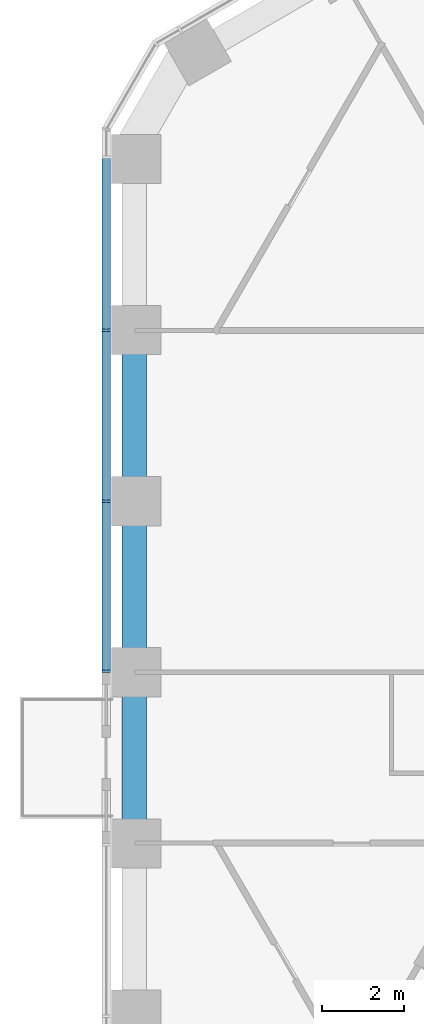
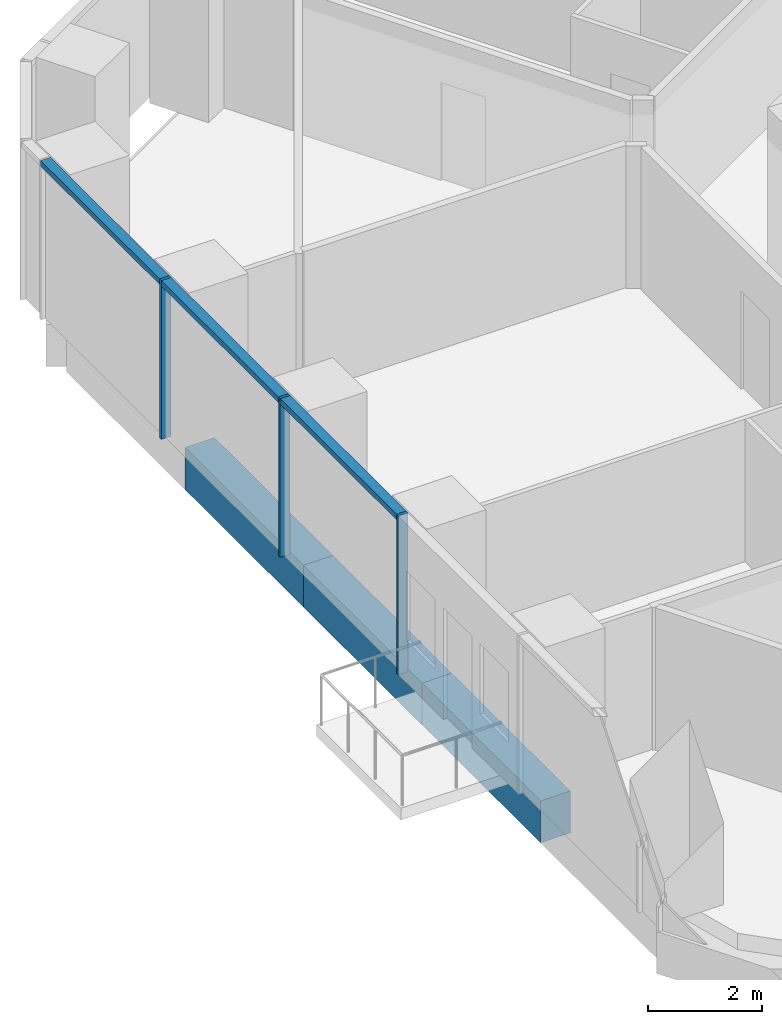
# One storey, part 3 of 19: 4 members, 3 beams, 1 element without a shape of its own.
"""IFC4 building model written with IfcOpenShell, lengths in metres."""

from ifc_helpers import new_model, si_unit, direction, frame, origin, origin_2d, place, context, subcontext, project, spatial, rectangle, extrude, material, layer, layer_set, material_profile, profile_set, type_object, element, aggregate, save


model = new_model("IFC4")

# Units and contexts
model_context = context("Model", 3, precision=1e-05, world=origin(), true_north=direction((0.0, 1.0)))
body_context = subcontext(model_context, "Body", "Model", "MODEL_VIEW")
ifc_project = project(units=[si_unit("LENGTHUNIT", "METRE"), si_unit("AREAUNIT", "SQUARE_METRE"), si_unit("VOLUMEUNIT", "CUBIC_METRE"), si_unit("PLANEANGLEUNIT", "RADIAN"), si_unit("MASSUNIT", "GRAM", prefix="KILO")], contexts=[model_context])

# Site, building, storey
site_placement = place(None, origin())
site = spatial("IfcSite", under=ifc_project, at=site_placement, CompositionType="ELEMENT")
building_placement = place(site_placement, origin())
building = spatial("IfcBuilding", under=site, at=building_placement, Name="Ayvan Gate Tower", CompositionType="ELEMENT")
storey_placement = place(building_placement, frame((0.0, 0.0, 39.10009765625)))
storey = spatial("IfcBuildingStorey", under=building, at=storey_placement, Name="L09", CompositionType="ELEMENT", Elevation=39.10009765625)

# Beams
ifc_material_1 = material(Name="Concrete C40/50", Category="concrete")
ifc_material_profile_1 = material_profile(ifc_material_1, rectangle(XDim=0.60009765625, YDim=0.89990234375, at=origin_2d()), Name="RC 600x900")
ifc_profile_set_1 = profile_set([ifc_material_profile_1], Name="Concrete C40/50")
beam_type = type_object("IfcBeamType", Name="Spandrel beam RC 600x900 C40/50", PredefinedType="BEAM", material=ifc_profile_set_1)
beam_1_placement = place(storey_placement, frame((-20.561279296875, 6.23828125, -0.800048828125), z_axis=(0.0, -1.0, 0.0), x_axis=(1.0, 0.0, 0.0)))
element("IfcBeam", 1, at=beam_1_placement, inside=storey, type_object=beam_type, Name="SB-L09-20", PredefinedType="BEAM", context=body_context, shape_type="SweptSolid", body=[
    extrude(rectangle(XDim=0.60009765625, YDim=0.89990234375, at=origin_2d()), origin(), (0.0, 0.0, 1.0), 4.158935546875),
])
beam_2_placement = place(storey_placement, frame((-20.561279296875, 2.079345703125, -0.800048828125), z_axis=(0.0, -1.0, 0.0), x_axis=(1.0, 0.0, 0.0)))
element("IfcBeam", 2, at=beam_2_placement, inside=storey, type_object=beam_type, Name="SB-L09-21", PredefinedType="BEAM", context=body_context, shape_type="SweptSolid", body=[
    extrude(rectangle(XDim=0.60009765625, YDim=0.89990234375, at=origin_2d()), origin(), (0.0, 0.0, 1.0), 4.15869140625),
])
beam_3_placement = place(storey_placement, frame((-20.561279296875, -2.079345703125, -0.800048828125), z_axis=(0.0, -1.0, 0.0), x_axis=(1.0, 0.0, 0.0)))
element("IfcBeam", 3, at=beam_3_placement, inside=storey, type_object=beam_type, Name="SB-L09-22", PredefinedType="BEAM", context=body_context, shape_type="SweptSolid", body=[
    extrude(rectangle(XDim=0.60009765625, YDim=0.89990234375, at=origin_2d()), origin(), (0.0, 0.0, 1.0), 4.158935546875),
])

# Curtain wall, members
ifc_material_2 = material(Name="Bronze anodised aluminium", Category="aluminium")
ifc_layer = layer(ifc_material_2, 0.199951171875)
ifc_layer_set = layer_set([ifc_layer], Name="Bronze anodised aluminium")
curtain_wall_type = type_object("IfcCurtainWallType", Name="Stick curtain wall CW-1", PredefinedType="NOTDEFINED", material=ifc_layer_set)
curtain_wall_placement = place(storey_placement, origin())
curtain_wall = element("IfcCurtainWall", 4, at=curtain_wall_placement, inside=storey, type_object=curtain_wall_type, Name="Stick curtain wall CW-1 L09", PredefinedType="NOTDEFINED")
ifc_material_profile_2 = material_profile(ifc_material_2, rectangle(XDim=0.199951171875, YDim=0.06005859375, at=origin_2d()), Name="Stick curtain wall CW-1 mullion 200 x 60")
ifc_profile_set_2 = profile_set([ifc_material_profile_2], Name="Bronze anodised aluminium")
member_type_1 = type_object("IfcMemberType", Name="Stick curtain wall CW-1 mullion 200 x 60", PredefinedType="MULLION", material=ifc_profile_set_2)
member_1_placement = place(storey_placement, frame((-21.247314453125, 6.253173828125, 0.0), z_axis=(0.0, 0.0, 1.0), x_axis=(-1.0, 0.0, 0.0)))
member_1 = element("IfcMember", 5, at=member_1_placement, type_object=member_type_1, Name="CW-1 mullion 2", PredefinedType="MULLION", context=body_context, shape_type="SweptSolid", body=[
    extrude(rectangle(XDim=0.199951171875, YDim=0.06005859375, at=origin_2d()), origin(), (0.0, 0.0, 1.0), 3.39990234375),
])
member_2_placement = place(storey_placement, frame((-21.247314453125, 2.084228515625, 0.0), z_axis=(0.0, 0.0, 1.0), x_axis=(-1.0, 0.0, 0.0)))
member_2 = element("IfcMember", 6, at=member_2_placement, type_object=member_type_1, Name="CW-1 mullion 3", PredefinedType="MULLION", context=body_context, shape_type="SweptSolid", body=[
    extrude(rectangle(XDim=0.199951171875, YDim=0.06005859375, at=origin_2d()), origin(), (0.0, 0.0, 1.0), 3.39990234375),
])
member_3_placement = place(storey_placement, frame((-21.247314453125, -2.054931640625, 0.0), z_axis=(0.0, 0.0, 1.0), x_axis=(-1.0, 0.0, 0.0)))
member_3 = element("IfcMember", 7, at=member_3_placement, type_object=member_type_1, Name="CW-1 mullion 4", PredefinedType="MULLION", context=body_context, shape_type="SweptSolid", body=[
    extrude(rectangle(XDim=0.199951171875, YDim=0.06005859375, at=origin_2d()), origin(), (0.0, 0.0, 1.0), 3.39990234375),
])
ifc_material_profile_3 = material_profile(ifc_material_2, rectangle(XDim=0.199951171875, YDim=0.1201171875, at=origin_2d()), Name="Stick curtain wall CW-1 transom 200 x 120")
ifc_profile_set_3 = profile_set([ifc_material_profile_3], Name="Bronze anodised aluminium")
member_type_2 = type_object("IfcMemberType", Name="Stick curtain wall CW-1 transom 200 x 120", PredefinedType="USERDEFINED", material=ifc_profile_set_3)
member_4_placement = place(storey_placement, frame((-21.247314453125, 10.467041015625, 3.33984375), z_axis=(0.0, -1.0, 0.0), x_axis=(1.0, 0.0, 0.0)))
member_4 = element("IfcMember", 8, at=member_4_placement, type_object=member_type_2, Name="CW-1 transom 1", ObjectType="TRANSOM", PredefinedType="USERDEFINED", context=body_context, shape_type="SweptSolid", body=[
    extrude(rectangle(XDim=0.199951171875, YDim=0.1201171875, at=origin_2d()), origin(), (0.0, 0.0, 1.0), 12.52197265625),
])
aggregate(curtain_wall, [member_1, member_2, member_3, member_4])

save(model, "model.ifc")
